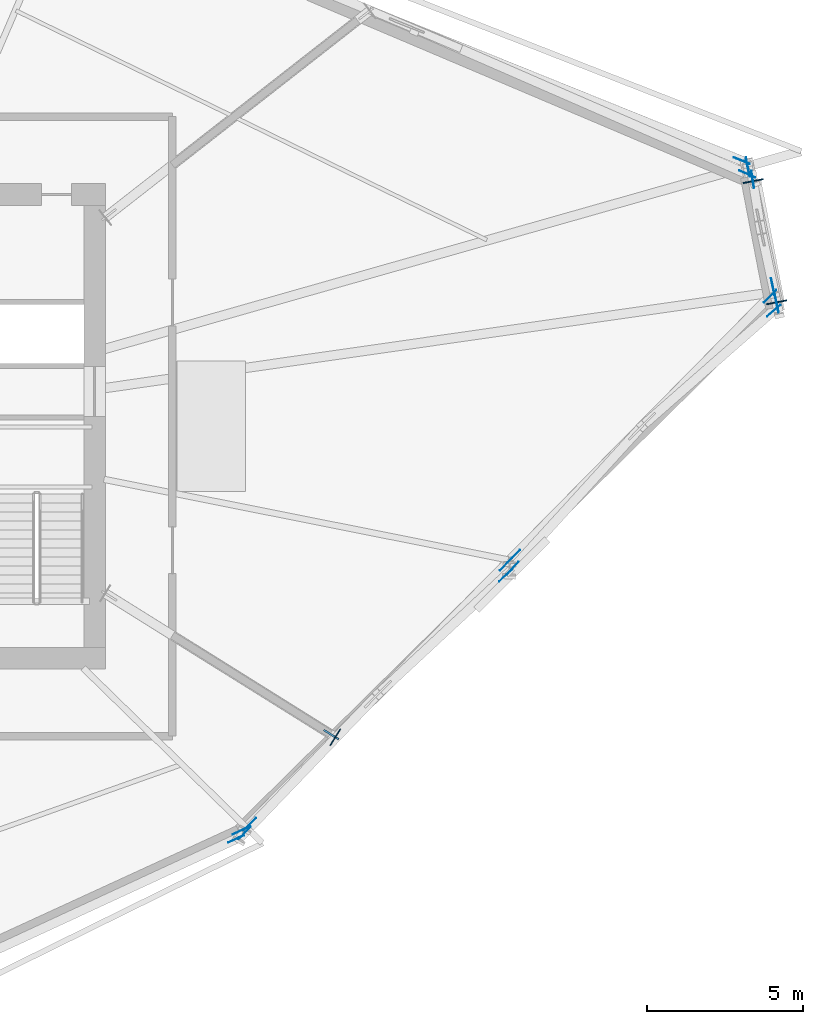
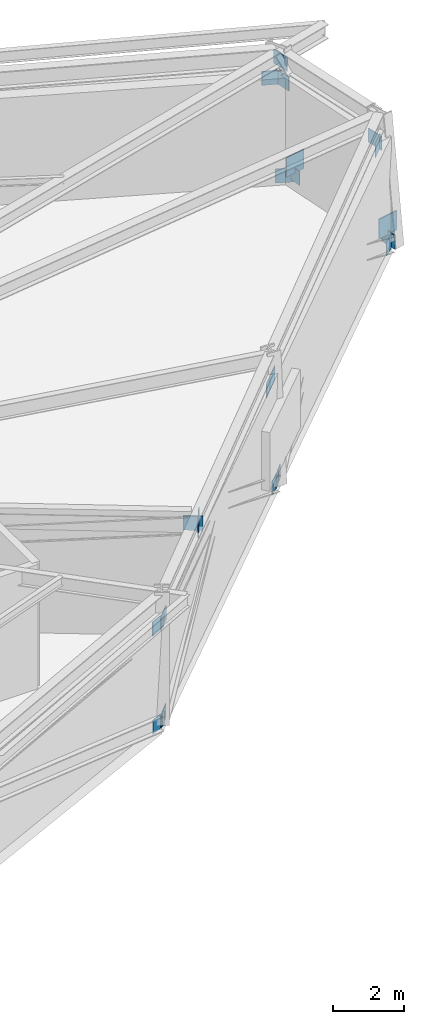
# One storey, part 6 of 15: 22 plates.
"""IFC4 building model written with IfcOpenShell, lengths in metres."""

from ifc_helpers import new_model, si_unit, direction, frame, origin, origin_2d, place, context, subcontext, project, spatial, rectangle, extrude, source, transform, mapped, material, type_object, element, save


model = new_model("IFC4")

# Units and contexts
model_context = context("Model", 3, precision=1e-05, world=origin(), true_north=direction((0.0, 1.0)))
body_context = subcontext(model_context, "Body", "Model", "MODEL_VIEW")
ifc_project = project(units=[si_unit("LENGTHUNIT", "METRE"), si_unit("AREAUNIT", "SQUARE_METRE"), si_unit("VOLUMEUNIT", "CUBIC_METRE"), si_unit("PLANEANGLEUNIT", "RADIAN"), si_unit("MASSUNIT", "GRAM", prefix="KILO")], contexts=[model_context])

# Site, building, storey
site_placement = place(None, origin())
site = spatial("IfcSite", under=ifc_project, at=site_placement, CompositionType="ELEMENT")
building_placement = place(site_placement, origin())
building = spatial("IfcBuilding", under=site, at=building_placement, Name="Olszyna Solenne Hotel", CompositionType="ELEMENT")
storey_placement = place(building_placement, frame((0.0, 0.0, 79.89990234375)))
storey = spatial("IfcBuildingStorey", under=building, at=storey_placement, Name="L20", CompositionType="ELEMENT", Elevation=79.89990234375)

# Plates
ifc_material_1 = material(Name="Steel S460M", Category="steel")
plate_type_1 = type_object("IfcPlateType", Name="GP-CAP2", PredefinedType="USERDEFINED", material=ifc_material_1)
shared_shape_1 = source(origin(), body_context, "Body", "SweptSolid", [
    extrude(rectangle(XDim=0.030029296875, YDim=0.6201171875, at=origin_2d()), origin(), (0.0, 0.0, 1.0), 0.6201171875),
])
plate_1_placement = place(storey_placement, frame((53.982421875, 16.61328125, 3.489990234375), z_axis=(0.0, 0.0, 1.0), x_axis=(0.848048096156, -0.529919264233, 0.0)))
element("IfcPlate", 1, at=plate_1_placement, inside=storey, type_object=plate_type_1, Name="Hollow section end-cap plate GP-CAP2 CP-OC-OC-L20-01-2", ObjectType="GUSSET_PLATE", PredefinedType="USERDEFINED", context=body_context, shape_type="MappedRepresentation", body=[
    mapped(shared_shape_1, transform((0.0, 0.0, 0.0), x_axis=(1.0, 0.0, 0.0), y_axis=(0.0, 1.0, 0.0), z_axis=(0.0, 0.0, 1.0), scale=1.0)),
])
ifc_material_2 = material(Name="Steel S355J2", Category="steel")
plate_type_2 = type_object("IfcPlateType", Name="GP-ND2", PredefinedType="USERDEFINED", material=ifc_material_2)
shared_shape_2 = source(origin(), body_context, "Body", "SweptSolid", [
    extrude(rectangle(XDim=0.56005859375, YDim=0.02001953125, at=origin_2d()), origin(), (0.0, 0.0, 1.0), 0.47998046875),
])
for number, where, z_axis, x_axis, name in (
    (2, (68.169677734375, 30.533935546875, -0.140869140625), (0.0, 0.0, 1.0), (-0.207228764358, 0.978292512096, 0.0), "Brace end connection gusset plate GP-ND2 EP-BR-L20-1-1"),
    (3, (67.231201171875, 34.96337890625, 3.591064453125), (0.0, 0.0, 1.0), (-0.207228764358, 0.978292512096, 0.0), "Brace end connection gusset plate GP-ND2 EP-BR-L20-1-2"),
    (4, (68.044189453125, 31.08740234375, 2.960205078125), (0.0, 0.0, 1.0), (-0.205350196811, 0.978688559589, 0.0), "Brace end connection gusset plate GP-ND2 EP-CH-L20-01-1"),
    (5, (67.24560546875, 34.89306640625, 2.960205078125), (0.0, 0.0, 1.0), (-0.205350196811, 0.978688559589, 0.0), "Brace end connection gusset plate GP-ND2 EP-CH-L20-01-2"),
    (6, (68.166015625, 30.5537109375, -0.111083984375), (0.0, 0.0, 1.0), (-0.209106568088, 0.977892858744, 0.0), "Brace end connection gusset plate GP-ND2 EP-BT-L20-01-1-1"),
    (7, (67.3955078125, 34.53466796875, -0.09521484375), (0.0, 0.0, 1.0), (0.15936430246, -0.987219843349, 0.0), "Brace end connection gusset plate GP-ND2 EP-BT-L20-01-2-1"),
    (8, (67.041748046875, 35.136474609375, 2.960205078125), (0.0, 0.0, 1.0), (-0.927379871015, 0.374121069757, 0.0), "Brace end connection gusset plate GP-ND2 EP-CH-L20-02-1"),
    (9, (67.216796875, 34.70654296875, -0.18408203125), (0.0, 0.0, 1.0), (-0.916572226203, 0.399869171297, 0.0), "Brace end connection gusset plate GP-ND2 EP-BT-L20-02-1-1"),
    (10, (50.943115234375, 13.60888671875, 2.960205078125), (0.0, 0.0, 1.0), (0.901228341999, 0.433344522957, 0.0), "Brace end connection gusset plate GP-ND2 EP-CH-L20-10-2"),
    (11, (50.796630859375, 13.34375, -0.18359375), (0.0, 0.0, 1.0), (-0.907631006833, -0.419768931003, 0.0), "Brace end connection gusset plate GP-ND2 EP-BT-L20-10-2-1"),
    (12, (51.231689453125, 13.815185546875, 2.960205078125), (0.0, 0.0, 1.0), (0.701904466245, 0.712271100259, 0.0), "Brace end connection gusset plate GP-ND2 EP-CH-L20-11-1"),
    (13, (59.466796875, 22.1708984375, 2.960205078125), (0.0, 0.0, 1.0), (0.701904466245, 0.712271100259, 0.0), "Brace end connection gusset plate GP-ND2 EP-CH-L20-11-2"),
    (14, (51.07080078125, 13.535400390625, -0.15673828125), (0.0, 0.0, 1.0), (0.692395073545, 0.721518580586, 0.0), "Brace end connection gusset plate GP-ND2 EP-BT-L20-11-1-1"),
    (15, (59.455810546875, 21.81103515625, -0.152099609375), (0.0, 0.0, 1.0), (-0.732305237754, -0.680976533192, 0.0), "Brace end connection gusset plate GP-ND2 EP-BT-L20-11-2-1"),
    (16, (59.719482421875, 22.42724609375, 2.960205078125), (0.0, 0.0, 1.0), (0.701904466245, 0.712271100259, 0.0), "Brace end connection gusset plate GP-ND2 EP-CH-L20-12-1"),
    (17, (67.954833984375, 30.783203125, 2.960205078125), (0.0, 0.0, 1.0), (0.701904466245, 0.712271100259, 0.0), "Brace end connection gusset plate GP-ND2 EP-CH-L20-12-2"),
    (18, (59.6865234375, 22.043212890625, -0.15673828125), (0.0, 0.0, 1.0), (0.67301251351, 0.739631094979, 0.0), "Brace end connection gusset plate GP-ND2 EP-BT-L20-12-1-1"),
    (19, (68.071533203125, 30.3193359375, -0.152099609375), (0.0, 0.0, 1.0), (-0.751724718475, -0.659477025858, 0.0), "Brace end connection gusset plate GP-ND2 EP-BT-L20-12-2-1"),
):
    element("IfcPlate", number, at=place(storey_placement, frame(where, z_axis=z_axis, x_axis=x_axis)), inside=storey, type_object=plate_type_2, Name=name, ObjectType="GUSSET_PLATE", PredefinedType="USERDEFINED", context=body_context, shape_type="MappedRepresentation", body=[
        mapped(shared_shape_2, transform((0.0, 0.0, 0.0), x_axis=(1.0, 0.0, 0.0), y_axis=(0.0, 1.0, 0.0), z_axis=(0.0, 0.0, 1.0), scale=1.0)),
    ])
plate_type_3 = type_object("IfcPlateType", Name="GP-ND1", PredefinedType="USERDEFINED", material=ifc_material_1)
shared_shape_3 = source(origin(), body_context, "Body", "SweptSolid", [
    extrude(rectangle(XDim=0.56005859375, YDim=0.06005859375, at=origin_2d()), origin(), (0.0, 0.0, 1.0), 0.47998046875),
])
plate_2_placement = place(storey_placement, frame((53.851318359375, 16.695068359375, 3.548828125), z_axis=(0.0, 0.0, 1.0), x_axis=(0.848048096156, -0.529919264233, 0.0)))
element("IfcPlate", 20, at=plate_2_placement, inside=storey, type_object=plate_type_3, Name="Brace end connection gusset plate GP-ND1 EP-OU-L20-01-2", ObjectType="GUSSET_PLATE", PredefinedType="USERDEFINED", context=body_context, shape_type="MappedRepresentation", body=[
    mapped(shared_shape_3, transform((0.0, 0.0, 0.0), x_axis=(1.0, 0.0, 0.0), y_axis=(0.0, 1.0, 0.0), z_axis=(0.0, 0.0, 1.0), scale=1.0)),
])
plate_type_4 = type_object("IfcPlateType", Name="GP-CAP1", PredefinedType="USERDEFINED", material=ifc_material_1)
shared_shape_4 = source(origin(), body_context, "Body", "SweptSolid", [
    extrude(rectangle(XDim=0.0400390625, YDim=0.659912109375, at=origin_2d()), origin(), (0.0, 0.0, 1.0), 0.659912109375),
])
for number, where, z_axis, x_axis, name in (
    (21, (68.16162109375, 30.585205078125, 0.22021484375), (0.0, 0.0, 1.0), (-0.189952291512, 0.981793321911, 0.0), "Hollow section end-cap plate GP-CAP1 CP-CTB-CTB-L20-1-1"),
    (22, (67.408203125, 34.479736328125, 0.22021484375), (0.0, 0.0, 1.0), (-0.189952291512, 0.981793321911, 0.0), "Hollow section end-cap plate GP-CAP1 CP-CTB-CTB-L20-1-2"),
):
    element("IfcPlate", number, at=place(storey_placement, frame(where, z_axis=z_axis, x_axis=x_axis)), inside=storey, type_object=plate_type_4, Name=name, ObjectType="GUSSET_PLATE", PredefinedType="USERDEFINED", context=body_context, shape_type="MappedRepresentation", body=[
        mapped(shared_shape_4, transform((0.0, 0.0, 0.0), x_axis=(1.0, 0.0, 0.0), y_axis=(0.0, 1.0, 0.0), z_axis=(0.0, 0.0, 1.0), scale=1.0)),
    ])

save(model, "model.ifc")
